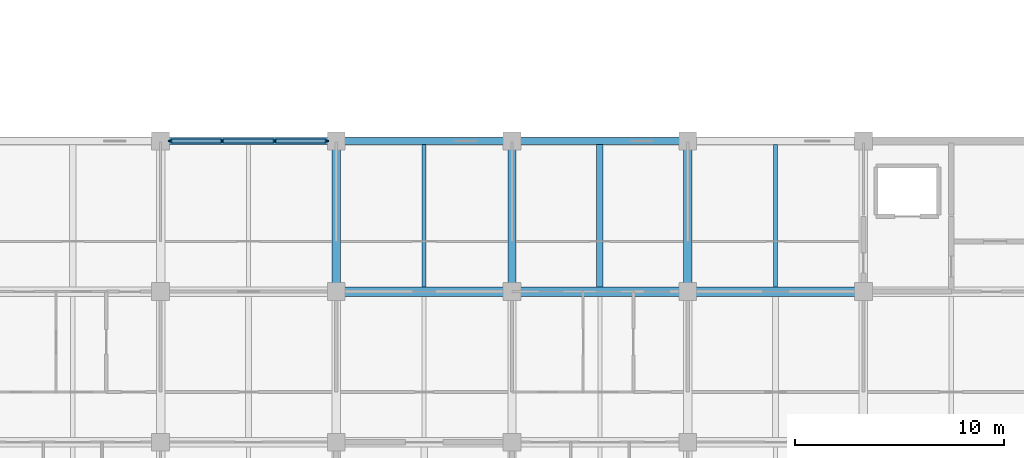
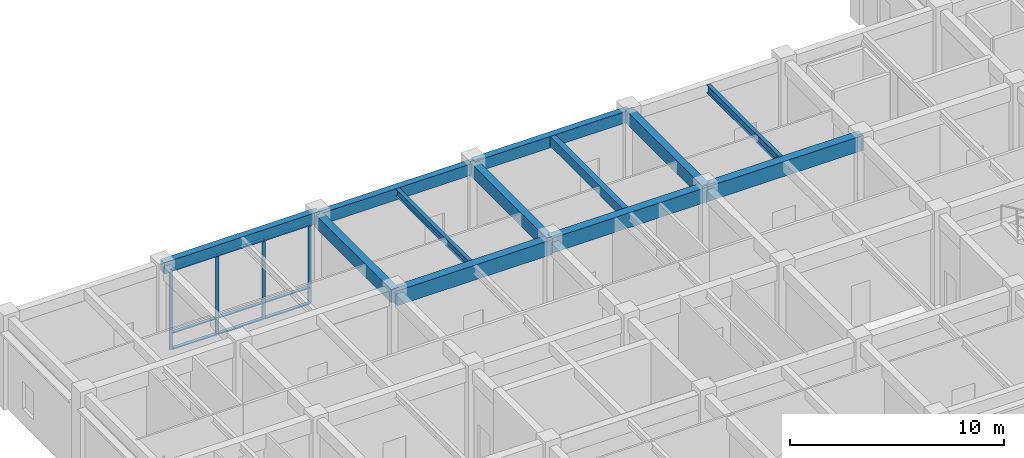
# One storey, part 15 of 58: 13 members, 12 beams, 1 element without a shape of its own.
"""IFC4 building model written with IfcOpenShell, lengths in metres."""

from ifc_helpers import new_model, si_unit, direction, frame, origin, origin_2d, place, context, subcontext, project, spatial, rectangle, i_section, extrude, material, layer, layer_set, material_profile, profile_set, type_object, element, aggregate, save


model = new_model("IFC4")

# Units and contexts
model_context = context("Model", 3, precision=1e-05, world=origin(), true_north=direction((0.0, 1.0)))
body_context = subcontext(model_context, "Body", "Model", "MODEL_VIEW")
ifc_project = project(units=[si_unit("LENGTHUNIT", "METRE"), si_unit("AREAUNIT", "SQUARE_METRE"), si_unit("VOLUMEUNIT", "CUBIC_METRE"), si_unit("PLANEANGLEUNIT", "RADIAN"), si_unit("MASSUNIT", "GRAM", prefix="KILO")], contexts=[model_context])

# Site, building, storey
site_placement = place(None, origin())
site = spatial("IfcSite", under=ifc_project, at=site_placement, CompositionType="ELEMENT")
building_placement = place(site_placement, origin())
building = spatial("IfcBuilding", under=site, at=building_placement, Name="Chengyuan Square Courthouse", CompositionType="ELEMENT")
storey_placement = place(building_placement, frame((0.0, 0.0, 16.199951171875)))
storey = spatial("IfcBuildingStorey", under=building, at=storey_placement, Name="L04", CompositionType="ELEMENT", Elevation=16.199951171875)

# Beams
ifc_material_1 = material(Name="Concrete C40", Category="concrete")
ifc_material_profile_1 = material_profile(ifc_material_1, rectangle(XDim=0.449951171875, YDim=0.85009765625, at=origin_2d()), Name="RC-BM-450x850")
ifc_profile_set_1 = profile_set([ifc_material_profile_1], Name="Concrete C40")
beam_type_1 = type_object("IfcBeamType", Name="BM-01", PredefinedType="USERDEFINED", material=ifc_profile_set_1)
beam_1_placement = place(storey_placement, frame((16.800048828125, 100.800048828125, 4.625), z_axis=(1.0, 0.0, 0.0), x_axis=(0.0, 1.0, 0.0)))
element("IfcBeam", 1, at=beam_1_placement, inside=storey, type_object=beam_type_1, Name="Girder BM-L04-2923", ObjectType="GIRDER", PredefinedType="USERDEFINED", context=body_context, shape_type="SweptSolid", body=[
    extrude(rectangle(XDim=0.449951171875, YDim=0.85009765625, at=origin_2d()), origin(), (0.0, 0.0, 1.0), 8.39990234375),
])
beam_2_placement = place(storey_placement, frame((25.199951171875, 100.800048828125, 4.695068359375), z_axis=(1.0, 0.0, 0.0), x_axis=(0.0, 1.0, 0.0)))
element("IfcBeam", 2, at=beam_2_placement, inside=storey, type_object=beam_type_1, Name="Girder BM-L04-2924", ObjectType="GIRDER", PredefinedType="USERDEFINED", context=body_context, shape_type="SweptSolid", body=[
    extrude(rectangle(XDim=0.449951171875, YDim=0.85009765625, at=origin_2d()), origin(), (0.0, 0.0, 1.0), 8.400146484375),
])
beam_3_placement = place(storey_placement, frame((33.60009765625, 100.800048828125, 4.695068359375), z_axis=(1.0, 0.0, 0.0), x_axis=(0.0, 1.0, 0.0)))
element("IfcBeam", 3, at=beam_3_placement, inside=storey, type_object=beam_type_1, Name="Girder BM-L04-2925", ObjectType="GIRDER", PredefinedType="USERDEFINED", context=body_context, shape_type="SweptSolid", body=[
    extrude(rectangle(XDim=0.449951171875, YDim=0.85009765625, at=origin_2d()), origin(), (0.0, 0.0, 1.0), 8.39990234375),
])
ifc_material_profile_2 = material_profile(ifc_material_1, rectangle(XDim=0.39990234375, YDim=0.75, at=origin_2d()), Name="RC-BM-400x750")
ifc_profile_set_2 = profile_set([ifc_material_profile_2], Name="Concrete C40")
beam_type_2 = type_object("IfcBeamType", Name="BM-02", PredefinedType="USERDEFINED", material=ifc_profile_set_2)
for number, where, z_axis, x_axis, name in (
    (4, (16.800048828125, 100.800048828125, 4.675048828125), (0.0, 1.0, 0.0), (-1.0, 0.0, 0.0), "Girder BM-L04-2992"),
    (5, (25.199951171875, 100.800048828125, 4.675048828125), (0.0, 1.0, 0.0), (-1.0, 0.0, 0.0), "Girder BM-L04-2996"),
    (6, (33.60009765625, 100.800048828125, 4.7451171875), (0.0, 1.0, 0.0), (-1.0, 0.0, 0.0), "Girder BM-L04-3000"),
):
    element("IfcBeam", number, at=place(storey_placement, frame(where, z_axis=z_axis, x_axis=x_axis)), inside=storey, type_object=beam_type_2, Name=name, ObjectType="GIRDER", PredefinedType="USERDEFINED", context=body_context, shape_type="SweptSolid", body=[
        extrude(rectangle(XDim=0.39990234375, YDim=0.75, at=origin_2d()), origin(), (0.0, 0.0, 1.0), 7.199951171875),
    ])
ifc_material_profile_3 = material_profile(ifc_material_1, rectangle(XDim=0.35009765625, YDim=0.64990234375, at=origin_2d()), Name="RC-BM-350x650")
ifc_profile_set_3 = profile_set([ifc_material_profile_3], Name="Concrete C40")
beam_type_3 = type_object("IfcBeamType", Name="BM-03", PredefinedType="SPANDREL", material=ifc_profile_set_3)
beam_4_placement = place(storey_placement, frame((8.39990234375, 108.0, 4.875), z_axis=(1.0, 0.0, 0.0), x_axis=(0.0, 1.0, 0.0)))
element("IfcBeam", 7, at=beam_4_placement, inside=storey, type_object=beam_type_3, Name="Girder BM-L04-2942", PredefinedType="SPANDREL", context=body_context, shape_type="SweptSolid", body=[
    extrude(rectangle(XDim=0.35009765625, YDim=0.64990234375, at=origin_2d()), origin(), (0.0, 0.0, 1.0), 8.400146484375),
])
beam_5_placement = place(storey_placement, frame((16.800048828125, 108.0, 4.72509765625), z_axis=(1.0, 0.0, 0.0), x_axis=(0.0, 1.0, 0.0)))
element("IfcBeam", 8, at=beam_5_placement, inside=storey, type_object=beam_type_3, Name="Girder BM-L04-2943", PredefinedType="SPANDREL", context=body_context, shape_type="SweptSolid", body=[
    extrude(rectangle(XDim=0.35009765625, YDim=0.64990234375, at=origin_2d()), origin(), (0.0, 0.0, 1.0), 8.39990234375),
])
beam_6_placement = place(storey_placement, frame((25.199951171875, 108.0, 4.795166015625), z_axis=(1.0, 0.0, 0.0), x_axis=(0.0, 1.0, 0.0)))
element("IfcBeam", 9, at=beam_6_placement, inside=storey, type_object=beam_type_3, Name="Girder BM-L04-2944", PredefinedType="SPANDREL", context=body_context, shape_type="SweptSolid", body=[
    extrude(rectangle(XDim=0.35009765625, YDim=0.64990234375, at=origin_2d()), origin(), (0.0, 0.0, 1.0), 8.400146484375),
])
ifc_material_profile_4 = material_profile(ifc_material_1, rectangle(XDim=0.300048828125, YDim=0.550048828125, at=origin_2d()), Name="RC-BM-300x550")
ifc_profile_set_4 = profile_set([ifc_material_profile_4], Name="Concrete C40")
beam_type_4 = type_object("IfcBeamType", Name="BM-04", PredefinedType="BEAM", material=ifc_profile_set_4)
beam_7_placement = place(storey_placement, frame((29.39990234375, 101.02490234375, 4.844970703125), z_axis=(0.0, 1.0, 0.0), x_axis=(-1.0, 0.0, 0.0)))
element("IfcBeam", 10, at=beam_7_placement, inside=storey, type_object=beam_type_4, Name="Secondary Floor Beam SBM-L04-3120", PredefinedType="BEAM", context=body_context, shape_type="SweptSolid", body=[
    extrude(rectangle(XDim=0.300048828125, YDim=0.550048828125, at=origin_2d()), origin(), (0.0, 0.0, 1.0), 6.800048828125),
])
ifc_material_2 = material(Name="Steel Q355B", Category="steel")
ifc_material_profile_5 = material_profile(ifc_material_2, i_section(OverallWidth=0.199951171875, OverallDepth=0.449951171875, WebThickness=0.009033203125, FlangeThickness=0.013916015625, at=origin_2d()), Name="HN 450x200x9x14")
ifc_profile_set_5 = profile_set([ifc_material_profile_5], Name="Steel Q355B")
beam_type_5 = type_object("IfcBeamType", Name="BM-06", PredefinedType="BEAM", material=ifc_profile_set_5)
beam_8_placement = place(storey_placement, frame((37.800048828125, 101.02490234375, 4.89501953125), z_axis=(0.0, 1.0, 0.0), x_axis=(-1.0, 0.0, 0.0)))
element("IfcBeam", 11, at=beam_8_placement, inside=storey, type_object=beam_type_5, Name="Secondary Floor Beam SBM-L04-3124", PredefinedType="BEAM", context=body_context, shape_type="SweptSolid", body=[
    extrude(i_section(OverallWidth=0.199951171875, OverallDepth=0.449951171875, WebThickness=0.009033203125, FlangeThickness=0.013916015625, at=origin_2d()), origin(), (0.0, 0.0, 1.0), 6.800048828125),
])
ifc_material_profile_6 = material_profile(ifc_material_2, i_section(OverallWidth=0.199951171875, OverallDepth=0.39990234375, WebThickness=0.008056640625, FlangeThickness=0.012939453125, at=origin_2d()), Name="HN 400x200x8x13")
ifc_profile_set_6 = profile_set([ifc_material_profile_6], Name="Steel Q355B")
beam_type_6 = type_object("IfcBeamType", Name="BM-07", PredefinedType="BEAM", material=ifc_profile_set_6)
beam_9_placement = place(storey_placement, frame((21.0, 101.02490234375, 4.85009765625), z_axis=(0.0, 1.0, 0.0), x_axis=(-1.0, 0.0, 0.0)))
element("IfcBeam", 12, at=beam_9_placement, inside=storey, type_object=beam_type_6, Name="Secondary Floor Beam SBM-L04-3116", PredefinedType="BEAM", context=body_context, shape_type="SweptSolid", body=[
    extrude(i_section(OverallWidth=0.199951171875, OverallDepth=0.39990234375, WebThickness=0.008056640625, FlangeThickness=0.012939453125, at=origin_2d()), origin(), (0.0, 0.0, 1.0), 6.800048828125),
])

# Curtain wall, members
ifc_material_3 = material(Name="Unitised Aluminium and Triple Low-E Glass", Category="aluminium")
ifc_layer = layer(ifc_material_3, 0.179931640625)
ifc_layer_set = layer_set([ifc_layer], Name="Unitised Aluminium and Triple Low-E Glass")
curtain_wall_type = type_object("IfcCurtainWallType", Name="CW-10", PredefinedType="USERDEFINED", material=ifc_layer_set)
curtain_wall_placement = place(storey_placement, origin())
curtain_wall = element("IfcCurtainWall", 13, at=curtain_wall_placement, inside=storey, type_object=curtain_wall_type, Name="Unitised Curtain Wall CW-L04-133", ObjectType="UNITISED CURTAIN WALL", PredefinedType="USERDEFINED")
ifc_material_4 = material(Name="Aluminium 6063-T6 Frame", Category="aluminium")
ifc_material_profile_7 = material_profile(ifc_material_4, rectangle(XDim=0.06494140625, YDim=0.179931640625, at=origin_2d()), Name="CW-MUL-65x180")
ifc_profile_set_7 = profile_set([ifc_material_profile_7], Name="Aluminium 6063-T6 Frame")
member_type_1 = type_object("IfcMemberType", Name="CWM-02", PredefinedType="MULLION", material=ifc_profile_set_7)
member_1_placement = place(storey_placement, frame((8.857421875, 108.0, 0.0), z_axis=(0.0, 0.0, 1.0), x_axis=(0.0, 1.0, 0.0)))
member_1 = element("IfcMember", 14, at=member_1_placement, type_object=member_type_1, Name="CW-10 mullion 1", PredefinedType="MULLION", context=body_context, shape_type="SweptSolid", body=[
    extrude(rectangle(XDim=0.06494140625, YDim=0.179931640625, at=origin_2d()), origin(), (0.0, 0.0, 1.0), 4.550048828125),
])
member_2_placement = place(storey_placement, frame((11.341552734375, 108.0, 0.0), z_axis=(0.0, 0.0, 1.0), x_axis=(0.0, 1.0, 0.0)))
member_2 = element("IfcMember", 15, at=member_2_placement, type_object=member_type_1, Name="CW-10 mullion 2", PredefinedType="MULLION", context=body_context, shape_type="SweptSolid", body=[
    extrude(rectangle(XDim=0.06494140625, YDim=0.179931640625, at=origin_2d()), origin(), (0.0, 0.0, 1.0), 4.550048828125),
])
member_3_placement = place(storey_placement, frame((13.8583984375, 108.0, 0.0), z_axis=(0.0, 0.0, 1.0), x_axis=(0.0, 1.0, 0.0)))
member_3 = element("IfcMember", 16, at=member_3_placement, type_object=member_type_1, Name="CW-10 mullion 3", PredefinedType="MULLION", context=body_context, shape_type="SweptSolid", body=[
    extrude(rectangle(XDim=0.06494140625, YDim=0.179931640625, at=origin_2d()), origin(), (0.0, 0.0, 1.0), 4.550048828125),
])
member_4_placement = place(storey_placement, frame((16.342529296875, 108.0, 0.0), z_axis=(0.0, 0.0, 1.0), x_axis=(0.0, 1.0, 0.0)))
member_4 = element("IfcMember", 17, at=member_4_placement, type_object=member_type_1, Name="CW-10 mullion 4", PredefinedType="MULLION", context=body_context, shape_type="SweptSolid", body=[
    extrude(rectangle(XDim=0.06494140625, YDim=0.179931640625, at=origin_2d()), origin(), (0.0, 0.0, 1.0), 4.550048828125),
])
ifc_material_profile_8 = material_profile(ifc_material_4, rectangle(XDim=0.179931640625, YDim=0.06494140625, at=origin_2d()), Name="CW-TRN-65x140")
ifc_profile_set_8 = profile_set([ifc_material_profile_8], Name="Aluminium 6063-T6 Frame")
member_type_2 = type_object("IfcMemberType", Name="CWT-02", PredefinedType="USERDEFINED", material=ifc_profile_set_8)
member_5_placement = place(storey_placement, frame((8.889892578125, 108.0, 0.032470703125), z_axis=(1.0, 0.0, 0.0), x_axis=(0.0, 1.0, 0.0)))
member_5 = element("IfcMember", 18, at=member_5_placement, type_object=member_type_2, Name="CW-10 transom 1.1", ObjectType="TRANSOM", PredefinedType="USERDEFINED", context=body_context, shape_type="SweptSolid", body=[
    extrude(rectangle(XDim=0.179931640625, YDim=0.06494140625, at=origin_2d()), origin(), (0.0, 0.0, 1.0), 2.419189453125),
])
member_6_placement = place(storey_placement, frame((8.889892578125, 108.0, 0.949951171875), z_axis=(1.0, 0.0, 0.0), x_axis=(0.0, 1.0, 0.0)))
member_6 = element("IfcMember", 19, at=member_6_placement, type_object=member_type_2, Name="CW-10 transom 1.2", ObjectType="TRANSOM", PredefinedType="USERDEFINED", context=body_context, shape_type="SweptSolid", body=[
    extrude(rectangle(XDim=0.179931640625, YDim=0.06494140625, at=origin_2d()), origin(), (0.0, 0.0, 1.0), 2.419189453125),
])
member_7_placement = place(storey_placement, frame((8.889892578125, 108.0, 4.517578125), z_axis=(1.0, 0.0, 0.0), x_axis=(0.0, 1.0, 0.0)))
member_7 = element("IfcMember", 20, at=member_7_placement, type_object=member_type_2, Name="CW-10 transom 1.3", ObjectType="TRANSOM", PredefinedType="USERDEFINED", context=body_context, shape_type="SweptSolid", body=[
    extrude(rectangle(XDim=0.179931640625, YDim=0.06494140625, at=origin_2d()), origin(), (0.0, 0.0, 1.0), 2.419189453125),
])
member_8_placement = place(storey_placement, frame((11.374267578125, 108.0, 0.032470703125), z_axis=(1.0, 0.0, 0.0), x_axis=(0.0, 1.0, 0.0)))
member_8 = element("IfcMember", 21, at=member_8_placement, type_object=member_type_2, Name="CW-10 transom 2.1", ObjectType="TRANSOM", PredefinedType="USERDEFINED", context=body_context, shape_type="SweptSolid", body=[
    extrude(rectangle(XDim=0.179931640625, YDim=0.06494140625, at=origin_2d()), origin(), (0.0, 0.0, 1.0), 2.45166015625),
])
member_9_placement = place(storey_placement, frame((11.374267578125, 108.0, 0.949951171875), z_axis=(1.0, 0.0, 0.0), x_axis=(0.0, 1.0, 0.0)))
member_9 = element("IfcMember", 22, at=member_9_placement, type_object=member_type_2, Name="CW-10 transom 2.2", ObjectType="TRANSOM", PredefinedType="USERDEFINED", context=body_context, shape_type="SweptSolid", body=[
    extrude(rectangle(XDim=0.179931640625, YDim=0.06494140625, at=origin_2d()), origin(), (0.0, 0.0, 1.0), 2.45166015625),
])
member_10_placement = place(storey_placement, frame((11.374267578125, 108.0, 4.517578125), z_axis=(1.0, 0.0, 0.0), x_axis=(0.0, 1.0, 0.0)))
member_10 = element("IfcMember", 23, at=member_10_placement, type_object=member_type_2, Name="CW-10 transom 2.3", ObjectType="TRANSOM", PredefinedType="USERDEFINED", context=body_context, shape_type="SweptSolid", body=[
    extrude(rectangle(XDim=0.179931640625, YDim=0.06494140625, at=origin_2d()), origin(), (0.0, 0.0, 1.0), 2.45166015625),
])
member_11_placement = place(storey_placement, frame((13.890869140625, 108.0, 0.032470703125), z_axis=(1.0, 0.0, 0.0), x_axis=(0.0, 1.0, 0.0)))
member_11 = element("IfcMember", 24, at=member_11_placement, type_object=member_type_2, Name="CW-10 transom 3.1", ObjectType="TRANSOM", PredefinedType="USERDEFINED", context=body_context, shape_type="SweptSolid", body=[
    extrude(rectangle(XDim=0.179931640625, YDim=0.06494140625, at=origin_2d()), origin(), (0.0, 0.0, 1.0), 2.419189453125),
])
member_12_placement = place(storey_placement, frame((13.890869140625, 108.0, 0.949951171875), z_axis=(1.0, 0.0, 0.0), x_axis=(0.0, 1.0, 0.0)))
member_12 = element("IfcMember", 25, at=member_12_placement, type_object=member_type_2, Name="CW-10 transom 3.2", ObjectType="TRANSOM", PredefinedType="USERDEFINED", context=body_context, shape_type="SweptSolid", body=[
    extrude(rectangle(XDim=0.179931640625, YDim=0.06494140625, at=origin_2d()), origin(), (0.0, 0.0, 1.0), 2.419189453125),
])
member_13_placement = place(storey_placement, frame((13.890869140625, 108.0, 4.517578125), z_axis=(1.0, 0.0, 0.0), x_axis=(0.0, 1.0, 0.0)))
member_13 = element("IfcMember", 26, at=member_13_placement, type_object=member_type_2, Name="CW-10 transom 3.3", ObjectType="TRANSOM", PredefinedType="USERDEFINED", context=body_context, shape_type="SweptSolid", body=[
    extrude(rectangle(XDim=0.179931640625, YDim=0.06494140625, at=origin_2d()), origin(), (0.0, 0.0, 1.0), 2.419189453125),
])
aggregate(curtain_wall, [member_1, member_2, member_3, member_4, member_5, member_6, member_7, member_8, member_9, member_10, member_11, member_12, member_13])

save(model, "model.ifc")
